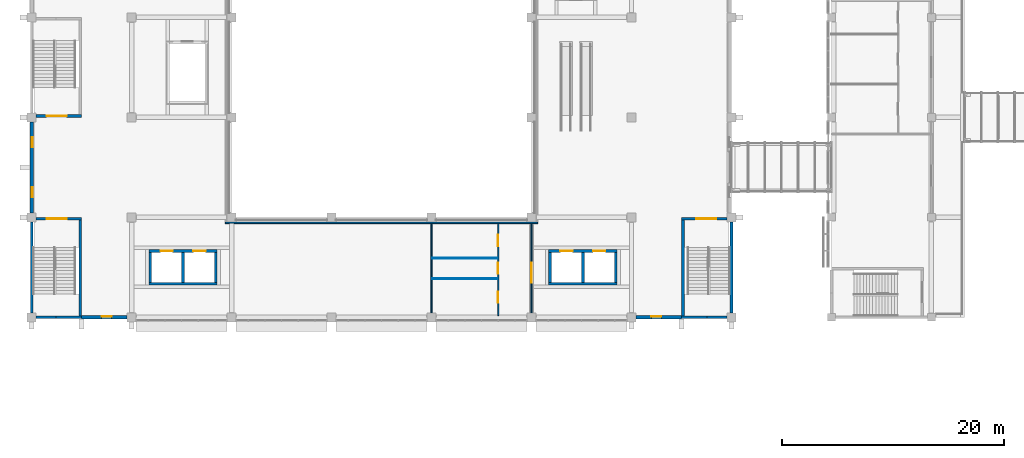
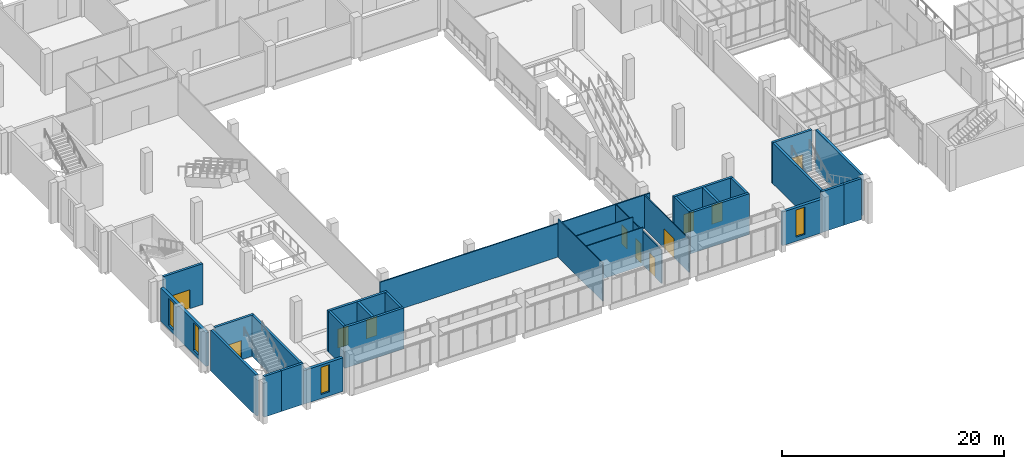
# One storey, part 68 of 106: 30 walls, 11 doors, 4 windows, 15 openings.
"""IFC4 building model written with IfcOpenShell, lengths in metres."""

from ifc_helpers import new_model, si_unit, direction, frame, frame_2d, origin, place, context, subcontext, project, spatial, rectangle, extrude, material, layer, layer_set, type_object, element, fill, save


model = new_model("IFC4")

# Units and contexts
model_context = context("Model", 3, precision=1e-05, world=origin(), true_north=direction((0.0, 1.0)))
body_context = subcontext(model_context, "Body", "Model", "MODEL_VIEW")
ifc_project = project(units=[si_unit("LENGTHUNIT", "METRE"), si_unit("AREAUNIT", "SQUARE_METRE"), si_unit("VOLUMEUNIT", "CUBIC_METRE"), si_unit("PLANEANGLEUNIT", "RADIAN"), si_unit("MASSUNIT", "GRAM", prefix="KILO")], contexts=[model_context])

# Site, building, storey
site_placement = place(None, origin())
site = spatial("IfcSite", under=ifc_project, at=site_placement, CompositionType="ELEMENT")
building_placement = place(site_placement, origin())
building = spatial("IfcBuilding", under=site, at=building_placement, Name="Guidao Yard Department Store", CompositionType="ELEMENT")
storey_placement = place(building_placement, frame((0.0, 0.0, 10.5)))
storey = spatial("IfcBuildingStorey", under=building, at=storey_placement, Name="L02", CompositionType="ELEMENT", Elevation=10.5)

# Walls
ifc_material_1 = material(Name="Moisture-resistant board on Steel Q235 studs", Category="steel")
ifc_layer_1 = layer(ifc_material_1, 0.080078125)
ifc_layer_set_1 = layer_set([ifc_layer_1], Name="Cubicle and Duct Partition P8 80 mm moisture-resistant board")
wall_type_1 = type_object("IfcWallType", Name="Cubicle and Duct Partition P8 80 mm moisture-resistant board", PredefinedType="PARTITIONING", material=ifc_layer_set_1)
for number, where, z_axis, x_axis, name in (
    (1, (36.050048828125, 48.489990234375, 0.0), (0.0, 0.0, 1.0), (1.0, 0.0, 0.0), "Wall W-HL02-004"),
    (2, (36.050048828125, 50.326904296875, 0.0), (0.0, 0.0, 1.0), (1.0, 0.0, 0.0), "Wall W-HL02-005"),
):
    element("IfcWall", number, at=place(storey_placement, frame(where, z_axis=z_axis, x_axis=x_axis)), inside=storey, type_object=wall_type_1, Name=name, PredefinedType="PARTITIONING", context=body_context, shape_type="SweptSolid", body=[
        extrude(rectangle(XDim=5.89990234375, YDim=0.080078125, at=frame_2d((2.949951171875, 0.0))), origin(), (0.0, 0.0, 1.0), 4.199951171875),
    ])
ifc_material_2 = material(Name="Fire-rated glazing in Steel Q235 frame", Category="steel")
ifc_layer_2 = layer(ifc_material_2, 0.1201171875)
ifc_layer_set_2 = layer_set([ifc_layer_2], Name="Fire-Glazed Screen P5 120 mm EI 60")
wall_type_2 = type_object("IfcWallType", Name="Fire-Glazed Screen P5 120 mm EI 60", PredefinedType="PARTITIONING", material=ifc_layer_set_2)
wall_1_placement = place(storey_placement, frame((17.43994140625, 53.5, 0.0), z_axis=(0.0, 0.0, 1.0), x_axis=(1.0, 0.0, 0.0)))
element("IfcWall", 3, at=wall_1_placement, inside=storey, type_object=wall_type_2, Name="Wall W-HL02-006", PredefinedType="PARTITIONING", context=body_context, shape_type="SweptSolid", body=[
    extrude(rectangle(XDim=28.1201171875, YDim=0.1201171875, at=frame_2d((14.06005859375, 0.0))), origin(), (0.0, 0.0, 1.0), 3.699951171875),
])

# Wall, opening, window
ifc_material_3 = material(Name="Concrete C35", Category="concrete")
ifc_layer_3 = layer(ifc_material_3, 0.300048828125)
ifc_layer_set_3 = layer_set([ifc_layer_3], Name="Hall facade wall 300 C35")
wall_type_3 = type_object("IfcWallType", Name="Hall facade wall 300 C35", PredefinedType="SOLIDWALL", material=ifc_layer_set_3)
wall_2_placement = place(storey_placement, frame((8.60009765625, 45.0, 0.0), z_axis=(0.0, 0.0, 1.0), x_axis=(-1.0, 0.0, 0.0)))
wall_2 = element("IfcWall", 4, at=wall_2_placement, inside=storey, type_object=wall_type_3, Name="Hall facade wall", PredefinedType="SOLIDWALL", context=body_context, shape_type="SweptSolid", body=[
    extrude(rectangle(XDim=4.10009765625, YDim=0.300048828125, at=frame_2d((2.050048828125, 0.0))), origin(), (0.0, 0.0, 1.0), 3.699951171875),
])
opening_1_placement = place(wall_2_placement, frame((1.39990234375, 0.0, 0.449951171875)))
opening_1 = element("IfcOpeningElement", 5, at=opening_1_placement, cuts=wall_2, Name="Opening WN-L02-E01", PredefinedType="OPENING", context=body_context, shape_type="SweptSolid", body=[
    extrude(rectangle(XDim=0.89990234375, YDim=3.0, at=frame_2d((0.449951171875, 1.5))), frame((0.0, 0.159912109375, 0.0), z_axis=(0.0, -1.0, 0.0), x_axis=(1.0, 0.0, 0.0)), (0.0, 0.0, 1.0), 0.320068359375),
])
ifc_material_4 = material(Name="Laminated glass in aluminium frame", Category="aluminium")
window_type = type_object("IfcWindowType", Name="Slot window SL1 900 x 3000 fixed", PartitioningType="SINGLE_PANEL", PredefinedType="WINDOW", material=ifc_material_4)
window_1_placement = place(opening_1_placement, origin())
window_1 = element("IfcWindow", 6, at=window_1_placement, inside=storey, type_object=window_type, Name="Slot window", OverallHeight=3.0, OverallWidth=0.89990234375, PartitioningType="SINGLE_PANEL", PredefinedType="WINDOW", context=body_context, shape_type="SweptSolid", body=[
    extrude(rectangle(XDim=0.89990234375, YDim=3.0, at=frame_2d((0.449951171875, 1.5))), frame((0.0, -0.030029296875, 0.0), z_axis=(0.0, -1.0, 0.0), x_axis=(1.0, 0.0, 0.0)), (0.0, 0.0, 1.0), 0.06005859375),
])
fill(opening_1, window_1)

wall_3_placement = place(storey_placement, frame((58.5, 45.0, 0.0), z_axis=(0.0, 0.0, 1.0), x_axis=(-1.0, 0.0, 0.0)))
wall_3 = element("IfcWall", 7, at=wall_3_placement, inside=storey, type_object=wall_type_3, Name="Hall facade wall", PredefinedType="SOLIDWALL", context=body_context, shape_type="SweptSolid", body=[
    extrude(rectangle(XDim=4.10009765625, YDim=0.300048828125, at=frame_2d((2.050048828125, 0.0))), origin(), (0.0, 0.0, 1.0), 3.699951171875),
])
opening_2_placement = place(wall_3_placement, frame((1.800048828125, 0.0, 0.449951171875)))
opening_2 = element("IfcOpeningElement", 8, at=opening_2_placement, cuts=wall_3, Name="Opening WN-L02-E02", PredefinedType="OPENING", context=body_context, shape_type="SweptSolid", body=[
    extrude(rectangle(XDim=0.89990234375, YDim=3.0, at=frame_2d((0.449951171875, 1.5))), frame((0.0, 0.159912109375, 0.0), z_axis=(0.0, -1.0, 0.0), x_axis=(1.0, 0.0, 0.0)), (0.0, 0.0, 1.0), 0.320068359375),
])
window_2_placement = place(opening_2_placement, origin())
window_2 = element("IfcWindow", 9, at=window_2_placement, inside=storey, type_object=window_type, Name="Slot window", OverallHeight=3.0, OverallWidth=0.89990234375, PartitioningType="SINGLE_PANEL", PredefinedType="WINDOW", context=body_context, shape_type="SweptSolid", body=[
    extrude(rectangle(XDim=0.89990234375, YDim=3.0, at=frame_2d((0.449951171875, 1.5))), frame((0.0, -0.030029296875, 0.0), z_axis=(0.0, -1.0, 0.0), x_axis=(1.0, 0.0, 0.0)), (0.0, 0.0, 1.0), 0.06005859375),
])
fill(opening_2, window_2)

# Wall, openings, windows
wall_4_placement = place(storey_placement, frame((0.0, 54.39990234375, 0.0), z_axis=(0.0, 0.0, 1.0), x_axis=(0.0, 1.0, 0.0)))
wall_4 = element("IfcWall", 10, at=wall_4_placement, inside=storey, type_object=wall_type_3, Name="Hall facade wall", PredefinedType="SOLIDWALL", context=body_context, shape_type="SweptSolid", body=[
    extrude(rectangle(XDim=8.2001953125, YDim=0.300048828125, at=frame_2d((4.10009765625, 0.0))), origin(), (0.0, 0.0, 1.0), 3.699951171875),
])
opening_3_placement = place(wall_4_placement, frame((1.39990234375, 0.0, 0.449951171875)))
opening_3 = element("IfcOpeningElement", 11, at=opening_3_placement, cuts=wall_4, Name="Opening WN-L02-E03", PredefinedType="OPENING", context=body_context, shape_type="SweptSolid", body=[
    extrude(rectangle(XDim=0.89990234375, YDim=3.0, at=frame_2d((0.449951171875, 1.5))), frame((0.0, 0.159912109375, 0.0), z_axis=(0.0, -1.0, 0.0), x_axis=(1.0, 0.0, 0.0)), (0.0, 0.0, 1.0), 0.320068359375),
])
opening_4_placement = place(wall_4_placement, frame((5.89990234375, 0.0, 0.449951171875)))
opening_4 = element("IfcOpeningElement", 12, at=opening_4_placement, cuts=wall_4, Name="Opening WN-L02-E04", PredefinedType="OPENING", context=body_context, shape_type="SweptSolid", body=[
    extrude(rectangle(XDim=0.89990234375, YDim=3.0, at=frame_2d((0.449951171875, 1.5))), frame((0.0, 0.159912109375, 0.0), z_axis=(0.0, -1.0, 0.0), x_axis=(1.0, 0.0, 0.0)), (0.0, 0.0, 1.0), 0.320068359375),
])
window_3_placement = place(opening_3_placement, origin())
window_3 = element("IfcWindow", 13, at=window_3_placement, inside=storey, type_object=window_type, Name="Slot window", OverallHeight=3.0, OverallWidth=0.89990234375, PartitioningType="SINGLE_PANEL", PredefinedType="WINDOW", context=body_context, shape_type="SweptSolid", body=[
    extrude(rectangle(XDim=0.89990234375, YDim=3.0, at=frame_2d((0.449951171875, 1.5))), frame((0.0, -0.030029296875, 0.0), z_axis=(0.0, -1.0, 0.0), x_axis=(1.0, 0.0, 0.0)), (0.0, 0.0, 1.0), 0.06005859375),
])
fill(opening_3, window_3)
window_4_placement = place(opening_4_placement, origin())
window_4 = element("IfcWindow", 14, at=window_4_placement, inside=storey, type_object=window_type, Name="Slot window", OverallHeight=3.0, OverallWidth=0.89990234375, PartitioningType="SINGLE_PANEL", PredefinedType="WINDOW", context=body_context, shape_type="SweptSolid", body=[
    extrude(rectangle(XDim=0.89990234375, YDim=3.0, at=frame_2d((0.449951171875, 1.5))), frame((0.0, -0.030029296875, 0.0), z_axis=(0.0, -1.0, 0.0), x_axis=(1.0, 0.0, 0.0)), (0.0, 0.0, 1.0), 0.06005859375),
])
fill(opening_4, window_4)

# Wall, openings, doors
ifc_material_5 = material(Name="Gypsum board on Steel Q235 studs", Category="steel")
ifc_layer_4 = layer(ifc_material_5, 0.10009765625)
ifc_layer_set_4 = layer_set([ifc_layer_4], Name="Partition P1 100 mm gypsum board EI 30")
wall_type_4 = type_object("IfcWallType", Name="Partition P1 100 mm gypsum board EI 30", PredefinedType="PARTITIONING", material=ifc_layer_set_4)
wall_5_placement = place(storey_placement, frame((42.0, 45.14990234375, 0.0), z_axis=(0.0, 0.0, 1.0), x_axis=(0.0, 1.0, 0.0)))
wall_5 = element("IfcWall", 15, at=wall_5_placement, inside=storey, type_object=wall_type_4, Name="Wall W-HL02-001", PredefinedType="PARTITIONING", context=body_context, shape_type="SweptSolid", body=[
    extrude(rectangle(XDim=8.2900390625, YDim=0.10009765625, at=frame_2d((4.14501953125, 0.0))), origin(), (0.0, 0.0, 1.0), 3.699951171875),
])
opening_5_placement = place(wall_5_placement, frame((1.169921875, 0.0, 0.0)))
opening_5 = element("IfcOpeningElement", 16, at=opening_5_placement, cuts=wall_5, Name="Opening HL02-001", PredefinedType="OPENING", context=body_context, shape_type="SweptSolid", body=[
    extrude(rectangle(XDim=1.0, YDim=2.10009765625, at=frame_2d((0.5, 1.050048828125))), frame((0.0, 0.06005859375, 0.0), z_axis=(0.0, -1.0, 0.0), x_axis=(1.0, 0.0, 0.0)), (0.0, 0.0, 1.0), 0.1201171875),
])
opening_6_placement = place(wall_5_placement, frame((3.758544921875, 0.0, 0.0)))
opening_6 = element("IfcOpeningElement", 17, at=opening_6_placement, cuts=wall_5, Name="Opening HL02-003", PredefinedType="OPENING", context=body_context, shape_type="SweptSolid", body=[
    extrude(rectangle(XDim=1.0, YDim=2.10009765625, at=frame_2d((0.5, 1.050048828125))), frame((0.0, 0.06005859375, 0.0), z_axis=(0.0, -1.0, 0.0), x_axis=(1.0, 0.0, 0.0)), (0.0, 0.0, 1.0), 0.1201171875),
])
opening_7_placement = place(wall_5_placement, frame((6.263427734375, 0.0, 0.0)))
opening_7 = element("IfcOpeningElement", 18, at=opening_7_placement, cuts=wall_5, Name="Opening HL02-004", PredefinedType="OPENING", context=body_context, shape_type="SweptSolid", body=[
    extrude(rectangle(XDim=1.0, YDim=2.10009765625, at=frame_2d((0.5, 1.050048828125))), frame((0.0, 0.06005859375, 0.0), z_axis=(0.0, -1.0, 0.0), x_axis=(1.0, 0.0, 0.0)), (0.0, 0.0, 1.0), 0.1201171875),
])
ifc_material_6 = material(Name="Timber door leaf", Category="wood")
door_type_1 = type_object("IfcDoorType", Name="Door AD10 accessible WC 1000 x 2100", OperationType="SINGLE_SWING_LEFT", PredefinedType="DOOR", material=ifc_material_6)
door_1_placement = place(opening_6_placement, origin())
door_1 = element("IfcDoor", 19, at=door_1_placement, inside=storey, type_object=door_type_1, Name="Door HL02-003", OperationType="SINGLE_SWING_RIGHT", OverallHeight=2.10009765625, OverallWidth=1.0, PredefinedType="DOOR", context=body_context, shape_type="SweptSolid", body=[
    extrude(rectangle(XDim=1.0, YDim=2.10009765625, at=frame_2d((0.5, 1.050048828125))), frame((0.0, 0.02490234375, 0.0), z_axis=(0.0, -1.0, 0.0), x_axis=(1.0, 0.0, 0.0)), (0.0, 0.0, 1.0), 0.050048828125),
])
fill(opening_6, door_1)
ifc_material_7 = material(Name="Timber door leaf", Category="wood")
door_type_2 = type_object("IfcDoorType", Name="Door D2 1000 x 2100", OperationType="SINGLE_SWING_LEFT", PredefinedType="DOOR", material=ifc_material_7)
door_2_placement = place(opening_5_placement, origin())
door_2 = element("IfcDoor", 20, at=door_2_placement, inside=storey, type_object=door_type_2, Name="Door HL02-001", OperationType="SINGLE_SWING_LEFT", OverallHeight=2.10009765625, OverallWidth=1.0, PredefinedType="DOOR", context=body_context, shape_type="SweptSolid", body=[
    extrude(rectangle(XDim=1.0, YDim=2.10009765625, at=frame_2d((0.5, 1.050048828125))), frame((0.0, 0.02490234375, 0.0), z_axis=(0.0, -1.0, 0.0), x_axis=(1.0, 0.0, 0.0)), (0.0, 0.0, 1.0), 0.050048828125),
])
fill(opening_5, door_2)
door_3_placement = place(opening_7_placement, origin())
door_3 = element("IfcDoor", 21, at=door_3_placement, inside=storey, type_object=door_type_2, Name="Door HL02-004", OperationType="SINGLE_SWING_RIGHT", OverallHeight=2.10009765625, OverallWidth=1.0, PredefinedType="DOOR", context=body_context, shape_type="SweptSolid", body=[
    extrude(rectangle(XDim=1.0, YDim=2.10009765625, at=frame_2d((0.5, 1.050048828125))), frame((0.0, 0.02490234375, 0.0), z_axis=(0.0, -1.0, 0.0), x_axis=(1.0, 0.0, 0.0)), (0.0, 0.0, 1.0), 0.050048828125),
])
fill(opening_7, door_3)

# Wall
wall_6_placement = place(storey_placement, frame((36.0, 45.39990234375, 0.0), z_axis=(0.0, 0.0, 1.0), x_axis=(0.0, 1.0, 0.0)))
element("IfcWall", 22, at=wall_6_placement, inside=storey, type_object=wall_type_4, Name="Wall W-HL02-002", PredefinedType="PARTITIONING", context=body_context, shape_type="SweptSolid", body=[
    extrude(rectangle(XDim=8.0400390625, YDim=0.10009765625, at=frame_2d((4.02001953125, 0.0))), origin(), (0.0, 0.0, 1.0), 4.199951171875),
])

# Wall, opening, door
wall_7_placement = place(storey_placement, frame((45.0, 45.39990234375, 0.0), z_axis=(0.0, 0.0, 1.0), x_axis=(0.0, 1.0, 0.0)))
wall_7 = element("IfcWall", 23, at=wall_7_placement, inside=storey, type_object=wall_type_4, Name="Wall W-HL02-003", PredefinedType="PARTITIONING", context=body_context, shape_type="SweptSolid", body=[
    extrude(rectangle(XDim=8.0400390625, YDim=0.10009765625, at=frame_2d((4.02001953125, 0.0))), origin(), (0.0, 0.0, 1.0), 3.699951171875),
])
opening_8_placement = place(wall_7_placement, frame((4.5, 0.0, 0.0), z_axis=(0.0, 0.0, 1.0), x_axis=(-1.0, 0.0, 0.0)))
opening_8 = element("IfcOpeningElement", 24, at=opening_8_placement, cuts=wall_7, Name="Opening HL02-002", PredefinedType="OPENING", context=body_context, shape_type="SweptSolid", body=[
    extrude(rectangle(XDim=1.800048828125, YDim=2.10009765625, at=frame_2d((0.89990234375, 1.050048828125))), frame((0.0, 0.06005859375, 0.0), z_axis=(0.0, -1.0, 0.0), x_axis=(1.0, 0.0, 0.0)), (0.0, 0.0, 1.0), 0.1201171875),
])
ifc_material_8 = material(Name="Timber door leaf", Category="wood")
door_type_3 = type_object("IfcDoorType", Name="Door D3 double 1800 x 2100", OperationType="DOUBLE_DOOR_SINGLE_SWING", PredefinedType="DOOR", material=ifc_material_8)
door_4_placement = place(opening_8_placement, origin())
door_4 = element("IfcDoor", 25, at=door_4_placement, inside=storey, type_object=door_type_3, Name="Door HL02-002", OperationType="DOUBLE_DOOR_SINGLE_SWING", OverallHeight=2.10009765625, OverallWidth=1.800048828125, PredefinedType="DOOR", context=body_context, shape_type="SweptSolid", body=[
    extrude(rectangle(XDim=1.800048828125, YDim=2.10009765625, at=frame_2d((0.89990234375, 1.050048828125))), frame((0.0, 0.02490234375, 0.0), z_axis=(0.0, -1.0, 0.0), x_axis=(1.0, 0.0, 0.0)), (0.0, 0.0, 1.0), 0.050048828125),
])
fill(opening_8, door_4)

ifc_material_9 = material(Name="Concrete C40", Category="concrete")
ifc_layer_5 = layer(ifc_material_9, 0.25)
ifc_layer_set_5 = layer_set([ifc_layer_5], Name="Wall RC 250 C40 stair and shaft")
wall_type_5 = type_object("IfcWallType", Name="Wall RC 250 C40 stair and shaft", PredefinedType="SHEAR", material=ifc_layer_set_5)
wall_8_placement = place(storey_placement, frame((0.39990234375, 63.125, 0.0), z_axis=(0.0, 0.0, 1.0), x_axis=(1.0, 0.0, 0.0)))
wall_8 = element("IfcWall", 26, at=wall_8_placement, inside=storey, type_object=wall_type_5, Name="Stair wall SA1", PredefinedType="SHEAR", context=body_context, shape_type="SweptSolid", body=[
    extrude(rectangle(XDim=4.10009765625, YDim=0.25, at=frame_2d((2.050048828125, 0.0))), origin(), (0.0, 0.0, 1.0), 4.5),
])
opening_9_placement = place(wall_8_placement, frame((0.949951171875, 0.0, 0.0)))
opening_9 = element("IfcOpeningElement", 27, at=opening_9_placement, cuts=wall_8, Name="Opening L02-800", PredefinedType="OPENING", context=body_context, shape_type="SweptSolid", body=[
    extrude(rectangle(XDim=1.800048828125, YDim=2.10009765625, at=frame_2d((0.89990234375, 1.050048828125))), frame((0.0, 0.135009765625, 0.0), z_axis=(0.0, -1.0, 0.0), x_axis=(1.0, 0.0, 0.0)), (0.0, 0.0, 1.0), 0.27001953125),
])
ifc_material_10 = material(Name="Steel Q235", Category="steel")
door_type_4 = type_object("IfcDoorType", Name="Door fire-resisting 1800 x 2100 FD60", OperationType="DOUBLE_DOOR_SINGLE_SWING", PredefinedType="DOOR", material=ifc_material_10)
door_5_placement = place(opening_9_placement, origin())
door_5 = element("IfcDoor", 28, at=door_5_placement, inside=storey, type_object=door_type_4, Name="Stair A1 door L02", OperationType="DOUBLE_DOOR_SINGLE_SWING", OverallHeight=2.10009765625, OverallWidth=1.800048828125, PredefinedType="DOOR", context=body_context, shape_type="SweptSolid", body=[
    extrude(rectangle(XDim=1.800048828125, YDim=2.10009765625, at=frame_2d((0.89990234375, 1.050048828125))), frame((0.0, 0.02490234375, 0.0), z_axis=(0.0, -1.0, 0.0), x_axis=(1.0, 0.0, 0.0)), (0.0, 0.0, 1.0), 0.050048828125),
])
fill(opening_9, door_5)

# Walls
wall_9_placement = place(storey_placement, frame((58.5, 45.0, 0.0), z_axis=(0.0, 0.0, 1.0), x_axis=(1.0, 0.0, 0.0)))
element("IfcWall", 29, at=wall_9_placement, inside=storey, type_object=wall_type_5, Name="Stair wall SA2", PredefinedType="SHEAR", context=body_context, shape_type="SweptSolid", body=[
    extrude(rectangle(XDim=2.31201171875, YDim=0.25, at=frame_2d((1.156005859375, 0.0))), origin(), (0.0, 0.0, 1.0), 4.5),
])
wall_10_placement = place(storey_placement, frame((60.81201171875, 45.0, 0.0), z_axis=(0.0, 0.0, 1.0), x_axis=(1.0, 0.0, 0.0)))
element("IfcWall", 30, at=wall_10_placement, inside=storey, type_object=wall_type_5, Name="Stair wall SA2", PredefinedType="SHEAR", context=body_context, shape_type="SweptSolid", body=[
    extrude(rectangle(XDim=1.7880859375, YDim=0.25, at=frame_2d((0.89404296875, 0.0))), origin(), (0.0, 0.0, 1.0), 4.5),
])

# Wall, opening, door
wall_11_placement = place(storey_placement, frame((58.5, 53.875, 0.0), z_axis=(0.0, 0.0, 1.0), x_axis=(1.0, 0.0, 0.0)))
wall_11 = element("IfcWall", 31, at=wall_11_placement, inside=storey, type_object=wall_type_5, Name="Stair wall SA2", PredefinedType="SHEAR", context=body_context, shape_type="SweptSolid", body=[
    extrude(rectangle(XDim=4.10009765625, YDim=0.25, at=frame_2d((2.050048828125, 0.0))), origin(), (0.0, 0.0, 1.0), 4.5),
])
opening_10_placement = place(wall_11_placement, frame((3.150146484375, 0.0, 0.0), z_axis=(0.0, 0.0, 1.0), x_axis=(-1.0, 0.0, 0.0)))
opening_10 = element("IfcOpeningElement", 32, at=opening_10_placement, cuts=wall_11, Name="Opening L02-801", PredefinedType="OPENING", context=body_context, shape_type="SweptSolid", body=[
    extrude(rectangle(XDim=1.800048828125, YDim=2.10009765625, at=frame_2d((0.89990234375, 1.050048828125))), frame((0.0, 0.135009765625, 0.0), z_axis=(0.0, -1.0, 0.0), x_axis=(1.0, 0.0, 0.0)), (0.0, 0.0, 1.0), 0.27001953125),
])
door_6_placement = place(opening_10_placement, origin())
door_6 = element("IfcDoor", 33, at=door_6_placement, inside=storey, type_object=door_type_4, Name="Stair A2 door L02", OperationType="DOUBLE_DOOR_SINGLE_SWING", OverallHeight=2.10009765625, OverallWidth=1.800048828125, PredefinedType="DOOR", context=body_context, shape_type="SweptSolid", body=[
    extrude(rectangle(XDim=1.800048828125, YDim=2.10009765625, at=frame_2d((0.89990234375, 1.050048828125))), frame((0.0, 0.02490234375, 0.0), z_axis=(0.0, -1.0, 0.0), x_axis=(1.0, 0.0, 0.0)), (0.0, 0.0, 1.0), 0.050048828125),
])
fill(opening_10, door_6)

# Walls
wall_12_placement = place(storey_placement, frame((58.625, 45.125, 0.0), z_axis=(0.0, 0.0, 1.0), x_axis=(0.0, 1.0, 0.0)))
element("IfcWall", 34, at=wall_12_placement, inside=storey, type_object=wall_type_5, Name="Stair wall SA2", PredefinedType="SHEAR", context=body_context, shape_type="SweptSolid", body=[
    extrude(rectangle(XDim=8.625, YDim=0.25, at=frame_2d((4.3125, 0.0))), origin(), (0.0, 0.0, 1.0), 4.5),
])
wall_13_placement = place(storey_placement, frame((63.0, 45.39990234375, 0.0), z_axis=(0.0, 0.0, 1.0), x_axis=(0.0, 1.0, 0.0)))
element("IfcWall", 35, at=wall_13_placement, inside=storey, type_object=wall_type_5, Name="Stair wall SA2", PredefinedType="SHEAR", context=body_context, shape_type="SweptSolid", body=[
    extrude(rectangle(XDim=8.2001953125, YDim=0.25, at=frame_2d((4.10009765625, 0.0))), origin(), (0.0, 0.0, 1.0), 4.5),
])
wall_14_placement = place(storey_placement, frame((0.39990234375, 45.0, 0.0), z_axis=(0.0, 0.0, 1.0), x_axis=(1.0, 0.0, 0.0)))
element("IfcWall", 36, at=wall_14_placement, inside=storey, type_object=wall_type_5, Name="Stair wall SA8", PredefinedType="SHEAR", context=body_context, shape_type="SweptSolid", body=[
    extrude(rectangle(XDim=1.7880859375, YDim=0.25, at=frame_2d((0.89404296875, 0.0))), origin(), (0.0, 0.0, 1.0), 4.5),
])
wall_15_placement = place(storey_placement, frame((2.18798828125, 45.0, 0.0), z_axis=(0.0, 0.0, 1.0), x_axis=(1.0, 0.0, 0.0)))
element("IfcWall", 37, at=wall_15_placement, inside=storey, type_object=wall_type_5, Name="Stair wall SA8", PredefinedType="SHEAR", context=body_context, shape_type="SweptSolid", body=[
    extrude(rectangle(XDim=2.31201171875, YDim=0.25, at=frame_2d((1.156005859375, 0.0))), origin(), (0.0, 0.0, 1.0), 4.5),
])

# Wall, opening, door
wall_16_placement = place(storey_placement, frame((0.39990234375, 53.875, 0.0), z_axis=(0.0, 0.0, 1.0), x_axis=(1.0, 0.0, 0.0)))
wall_16 = element("IfcWall", 38, at=wall_16_placement, inside=storey, type_object=wall_type_5, Name="Stair wall SA8", PredefinedType="SHEAR", context=body_context, shape_type="SweptSolid", body=[
    extrude(rectangle(XDim=4.10009765625, YDim=0.25, at=frame_2d((2.050048828125, 0.0))), origin(), (0.0, 0.0, 1.0), 4.5),
])
opening_11_placement = place(wall_16_placement, frame((2.75, 0.0, 0.0), z_axis=(0.0, 0.0, 1.0), x_axis=(-1.0, 0.0, 0.0)))
opening_11 = element("IfcOpeningElement", 39, at=opening_11_placement, cuts=wall_16, Name="Opening L02-807", PredefinedType="OPENING", context=body_context, shape_type="SweptSolid", body=[
    extrude(rectangle(XDim=1.800048828125, YDim=2.10009765625, at=frame_2d((0.89990234375, 1.050048828125))), frame((0.0, 0.135009765625, 0.0), z_axis=(0.0, -1.0, 0.0), x_axis=(1.0, 0.0, 0.0)), (0.0, 0.0, 1.0), 0.27001953125),
])
door_7_placement = place(opening_11_placement, origin())
door_7 = element("IfcDoor", 40, at=door_7_placement, inside=storey, type_object=door_type_4, Name="Stair A8 door L02", OperationType="DOUBLE_DOOR_SINGLE_SWING", OverallHeight=2.10009765625, OverallWidth=1.800048828125, PredefinedType="DOOR", context=body_context, shape_type="SweptSolid", body=[
    extrude(rectangle(XDim=1.800048828125, YDim=2.10009765625, at=frame_2d((0.89990234375, 1.050048828125))), frame((0.0, 0.02490234375, 0.0), z_axis=(0.0, -1.0, 0.0), x_axis=(1.0, 0.0, 0.0)), (0.0, 0.0, 1.0), 0.050048828125),
])
fill(opening_11, door_7)

# Walls
wall_17_placement = place(storey_placement, frame((0.0, 45.39990234375, 0.0), z_axis=(0.0, 0.0, 1.0), x_axis=(0.0, 1.0, 0.0)))
element("IfcWall", 41, at=wall_17_placement, inside=storey, type_object=wall_type_5, Name="Stair wall SA8", PredefinedType="SHEAR", context=body_context, shape_type="SweptSolid", body=[
    extrude(rectangle(XDim=8.2001953125, YDim=0.25, at=frame_2d((4.10009765625, 0.0))), origin(), (0.0, 0.0, 1.0), 4.5),
])
wall_18_placement = place(storey_placement, frame((4.375, 45.125, 0.0), z_axis=(0.0, 0.0, 1.0), x_axis=(0.0, 1.0, 0.0)))
element("IfcWall", 42, at=wall_18_placement, inside=storey, type_object=wall_type_5, Name="Stair wall SA8", PredefinedType="SHEAR", context=body_context, shape_type="SweptSolid", body=[
    extrude(rectangle(XDim=8.625, YDim=0.25, at=frame_2d((4.3125, 0.0))), origin(), (0.0, 0.0, 1.0), 4.5),
])

# Wall, openings, doors
wall_19_placement = place(storey_placement, frame((10.550048828125, 50.97509765625, 0.0), z_axis=(0.0, 0.0, 1.0), x_axis=(1.0, 0.0, 0.0)))
wall_19 = element("IfcWall", 43, at=wall_19_placement, inside=storey, type_object=wall_type_5, Name="Lift shaft wall HL1 to HL2", PredefinedType="SHEAR", context=body_context, shape_type="SweptSolid", body=[
    extrude(rectangle(XDim=6.14990234375, YDim=0.25, at=frame_2d((3.074951171875, 0.0))), origin(), (0.0, 0.0, 1.0), 4.5),
])
opening_12_placement = place(wall_19_placement, frame((1.050048828125, 0.0, 0.0)))
opening_12 = element("IfcOpeningElement", 44, at=opening_12_placement, cuts=wall_19, Name="Opening LD-HL1-L02", PredefinedType="OPENING", context=body_context, shape_type="SweptSolid", body=[
    extrude(rectangle(XDim=1.10009765625, YDim=2.10009765625, at=frame_2d((0.550048828125, 1.050048828125))), frame((0.0, 0.135009765625, 0.0), z_axis=(0.0, -1.0, 0.0), x_axis=(1.0, 0.0, 0.0)), (0.0, 0.0, 1.0), 0.27001953125),
])
opening_13_placement = place(wall_19_placement, frame((4.0, 0.0, 0.0)))
opening_13 = element("IfcOpeningElement", 45, at=opening_13_placement, cuts=wall_19, Name="Opening LD-HL2-L02", PredefinedType="OPENING", context=body_context, shape_type="SweptSolid", body=[
    extrude(rectangle(XDim=1.10009765625, YDim=2.10009765625, at=frame_2d((0.550048828125, 1.050048828125))), frame((0.0, 0.135009765625, 0.0), z_axis=(0.0, -1.0, 0.0), x_axis=(1.0, 0.0, 0.0)), (0.0, 0.0, 1.0), 0.27001953125),
])
ifc_material_11 = material(Name="Stainless steel 06Cr19Ni10", Category="steel")
door_type_5 = type_object("IfcDoorType", Name="Lift landing door fire-resisting sliding 1100 x 2100", OperationType="DOUBLE_DOOR_SLIDING", PredefinedType="DOOR", material=ifc_material_11)
door_8_placement = place(opening_12_placement, origin())
door_8 = element("IfcDoor", 46, at=door_8_placement, inside=storey, type_object=door_type_5, Name="Lift landing door HL1 L02", OperationType="DOUBLE_DOOR_SLIDING", OverallHeight=2.10009765625, OverallWidth=1.10009765625, PredefinedType="DOOR", context=body_context, shape_type="SweptSolid", body=[
    extrude(rectangle(XDim=1.10009765625, YDim=2.10009765625, at=frame_2d((0.550048828125, 1.050048828125))), frame((0.0, 0.02490234375, 0.0), z_axis=(0.0, -1.0, 0.0), x_axis=(1.0, 0.0, 0.0)), (0.0, 0.0, 1.0), 0.050048828125),
])
fill(opening_12, door_8)
door_9_placement = place(opening_13_placement, origin())
door_9 = element("IfcDoor", 47, at=door_9_placement, inside=storey, type_object=door_type_5, Name="Lift landing door HL2 L02", OperationType="DOUBLE_DOOR_SLIDING", OverallHeight=2.10009765625, OverallWidth=1.10009765625, PredefinedType="DOOR", context=body_context, shape_type="SweptSolid", body=[
    extrude(rectangle(XDim=1.10009765625, YDim=2.10009765625, at=frame_2d((0.550048828125, 1.050048828125))), frame((0.0, 0.02490234375, 0.0), z_axis=(0.0, -1.0, 0.0), x_axis=(1.0, 0.0, 0.0)), (0.0, 0.0, 1.0), 0.050048828125),
])
fill(opening_13, door_9)

# Walls
wall_20_placement = place(storey_placement, frame((10.550048828125, 48.02490234375, 0.0), z_axis=(0.0, 0.0, 1.0), x_axis=(1.0, 0.0, 0.0)))
element("IfcWall", 48, at=wall_20_placement, inside=storey, type_object=wall_type_5, Name="Lift shaft wall HL1 to HL2", PredefinedType="SHEAR", context=body_context, shape_type="SweptSolid", body=[
    extrude(rectangle(XDim=6.14990234375, YDim=0.25, at=frame_2d((3.074951171875, 0.0))), origin(), (0.0, 0.0, 1.0), 4.5),
])
for number, where, z_axis, x_axis, name in (
    (49, (10.675048828125, 48.14990234375, 0.0), (0.0, 0.0, 1.0), (0.0, 1.0, 0.0), "Lift shaft wall HL1 to HL2"),
    (50, (13.625, 48.14990234375, 0.0), (0.0, 0.0, 1.0), (0.0, 1.0, 0.0), "Lift shaft wall HL1 to HL2"),
    (51, (16.574951171875, 48.14990234375, 0.0), (0.0, 0.0, 1.0), (0.0, 1.0, 0.0), "Lift shaft wall HL1 to HL2"),
):
    element("IfcWall", number, at=place(storey_placement, frame(where, z_axis=z_axis, x_axis=x_axis)), inside=storey, type_object=wall_type_5, Name=name, PredefinedType="SHEAR", context=body_context, shape_type="SweptSolid", body=[
        extrude(rectangle(XDim=2.7001953125, YDim=0.25, at=frame_2d((1.35009765625, 0.0))), origin(), (0.0, 0.0, 1.0), 4.5),
    ])

# Wall, openings, doors
wall_21_placement = place(storey_placement, frame((46.550048828125, 50.97509765625, 0.0), z_axis=(0.0, 0.0, 1.0), x_axis=(1.0, 0.0, 0.0)))
wall_21 = element("IfcWall", 52, at=wall_21_placement, inside=storey, type_object=wall_type_5, Name="Lift shaft wall HL3 to HL4", PredefinedType="SHEAR", context=body_context, shape_type="SweptSolid", body=[
    extrude(rectangle(XDim=6.14990234375, YDim=0.25, at=frame_2d((3.074951171875, 0.0))), origin(), (0.0, 0.0, 1.0), 4.5),
])
opening_14_placement = place(wall_21_placement, frame((1.050048828125, 0.0, 0.0)))
opening_14 = element("IfcOpeningElement", 53, at=opening_14_placement, cuts=wall_21, Name="Opening LD-HL3-L02", PredefinedType="OPENING", context=body_context, shape_type="SweptSolid", body=[
    extrude(rectangle(XDim=1.10009765625, YDim=2.10009765625, at=frame_2d((0.550048828125, 1.050048828125))), frame((0.0, 0.135009765625, 0.0), z_axis=(0.0, -1.0, 0.0), x_axis=(1.0, 0.0, 0.0)), (0.0, 0.0, 1.0), 0.27001953125),
])
opening_15_placement = place(wall_21_placement, frame((4.0, 0.0, 0.0)))
opening_15 = element("IfcOpeningElement", 54, at=opening_15_placement, cuts=wall_21, Name="Opening LD-HL4-L02", PredefinedType="OPENING", context=body_context, shape_type="SweptSolid", body=[
    extrude(rectangle(XDim=1.10009765625, YDim=2.10009765625, at=frame_2d((0.550048828125, 1.050048828125))), frame((0.0, 0.135009765625, 0.0), z_axis=(0.0, -1.0, 0.0), x_axis=(1.0, 0.0, 0.0)), (0.0, 0.0, 1.0), 0.27001953125),
])
door_10_placement = place(opening_14_placement, origin())
door_10 = element("IfcDoor", 55, at=door_10_placement, inside=storey, type_object=door_type_5, Name="Lift landing door HL3 L02", OperationType="DOUBLE_DOOR_SLIDING", OverallHeight=2.10009765625, OverallWidth=1.10009765625, PredefinedType="DOOR", context=body_context, shape_type="SweptSolid", body=[
    extrude(rectangle(XDim=1.10009765625, YDim=2.10009765625, at=frame_2d((0.550048828125, 1.050048828125))), frame((0.0, 0.02490234375, 0.0), z_axis=(0.0, -1.0, 0.0), x_axis=(1.0, 0.0, 0.0)), (0.0, 0.0, 1.0), 0.050048828125),
])
fill(opening_14, door_10)
door_11_placement = place(opening_15_placement, origin())
door_11 = element("IfcDoor", 56, at=door_11_placement, inside=storey, type_object=door_type_5, Name="Lift landing door HL4 L02", OperationType="DOUBLE_DOOR_SLIDING", OverallHeight=2.10009765625, OverallWidth=1.10009765625, PredefinedType="DOOR", context=body_context, shape_type="SweptSolid", body=[
    extrude(rectangle(XDim=1.10009765625, YDim=2.10009765625, at=frame_2d((0.550048828125, 1.050048828125))), frame((0.0, 0.02490234375, 0.0), z_axis=(0.0, -1.0, 0.0), x_axis=(1.0, 0.0, 0.0)), (0.0, 0.0, 1.0), 0.050048828125),
])
fill(opening_15, door_11)

# Walls
wall_22_placement = place(storey_placement, frame((46.550048828125, 48.02490234375, 0.0), z_axis=(0.0, 0.0, 1.0), x_axis=(1.0, 0.0, 0.0)))
element("IfcWall", 57, at=wall_22_placement, inside=storey, type_object=wall_type_5, Name="Lift shaft wall HL3 to HL4", PredefinedType="SHEAR", context=body_context, shape_type="SweptSolid", body=[
    extrude(rectangle(XDim=6.14990234375, YDim=0.25, at=frame_2d((3.074951171875, 0.0))), origin(), (0.0, 0.0, 1.0), 4.5),
])
for number, where, z_axis, x_axis, name in (
    (58, (46.675048828125, 48.14990234375, 0.0), (0.0, 0.0, 1.0), (0.0, 1.0, 0.0), "Lift shaft wall HL3 to HL4"),
    (59, (49.625, 48.14990234375, 0.0), (0.0, 0.0, 1.0), (0.0, 1.0, 0.0), "Lift shaft wall HL3 to HL4"),
    (60, (52.574951171875, 48.14990234375, 0.0), (0.0, 0.0, 1.0), (0.0, 1.0, 0.0), "Lift shaft wall HL3 to HL4"),
):
    element("IfcWall", number, at=place(storey_placement, frame(where, z_axis=z_axis, x_axis=x_axis)), inside=storey, type_object=wall_type_5, Name=name, PredefinedType="SHEAR", context=body_context, shape_type="SweptSolid", body=[
        extrude(rectangle(XDim=2.7001953125, YDim=0.25, at=frame_2d((1.35009765625, 0.0))), origin(), (0.0, 0.0, 1.0), 4.5),
    ])

save(model, "model.ifc")
